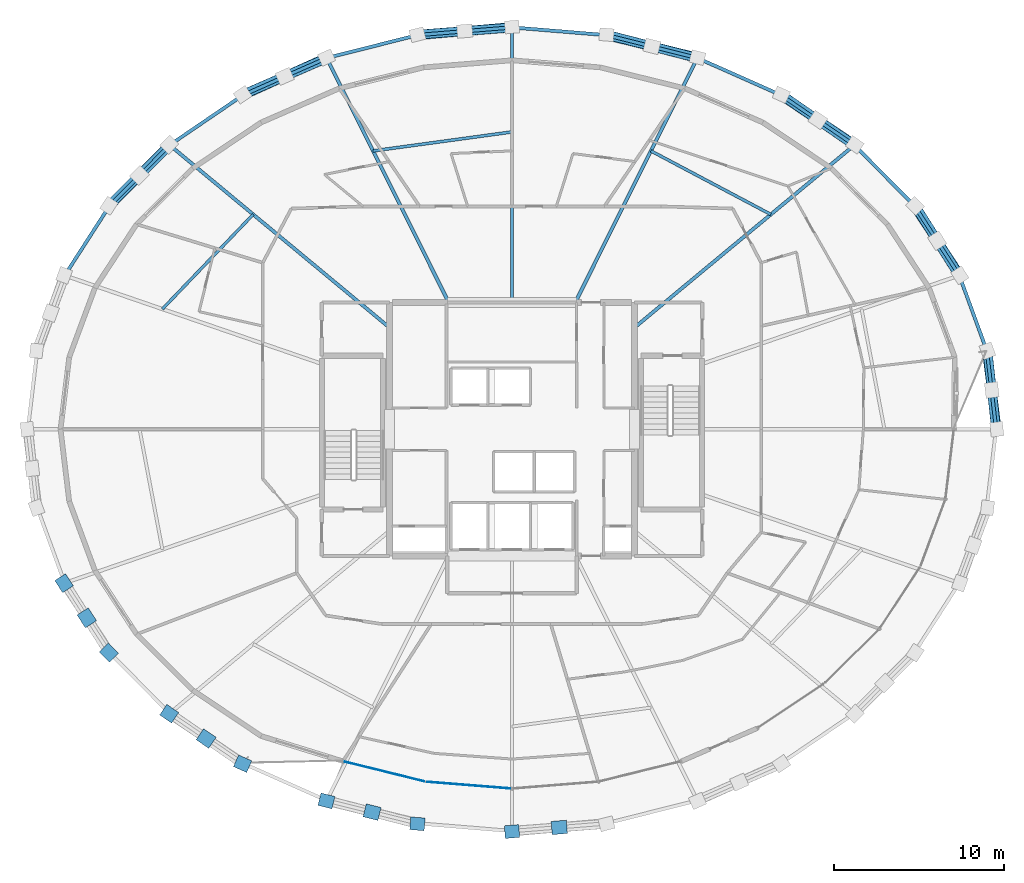
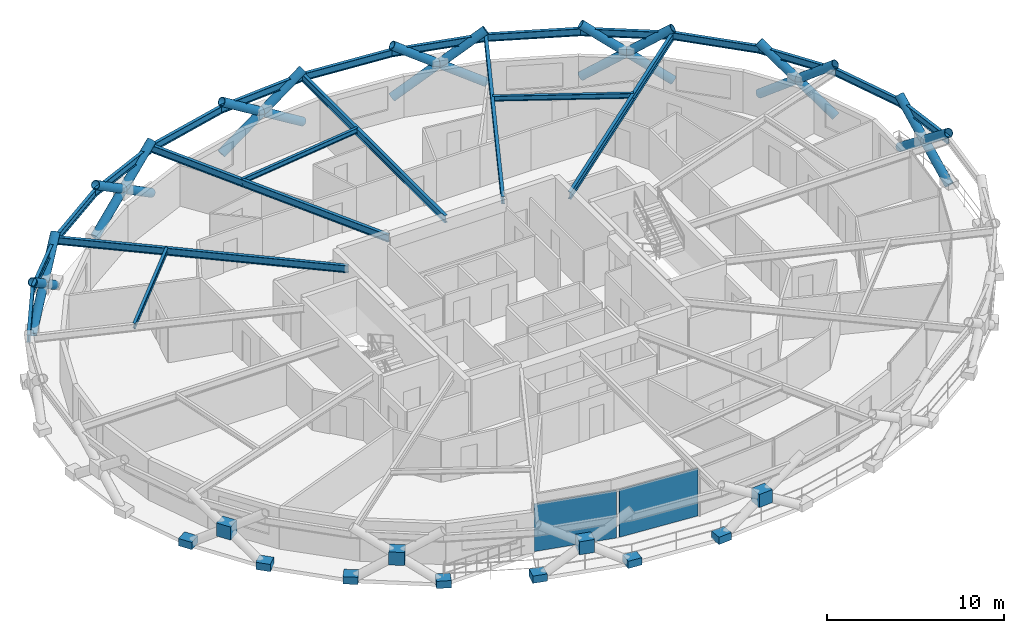
# One storey, part 12 of 21: 22 beams, 21 members, 13 plates, 1 element without a shape of its own.
"""IFC4 building model written with IfcOpenShell, lengths in metres."""

import ifcopenshell
import ifcopenshell.guid

model = None  # the IFC model being written
_history = None  # IfcOwnerHistory: only IFC2X3 demands one
_inside = {}  # id of a spatial element -> (the spatial element, [elements in it])
_under = {}  # id of a project, library or spatial element -> (it, [spatial elements below it])
_declared = {}  # id of a project -> (the project, [libraries it declares])
_typed = {}  # id of a type object -> (the type object, [elements of that type])
_made_of = {}  # id of a material, layer set ... -> (it, [elements and type objects made of it])


def new_model(schema):
    """Start an empty IFC model of exactly this schema.

    Asked for "IFC4X3", IfcOpenShell would pick the latest addendum, in which some entities
    have other attributes; the version numbers below select the first issue.
    IFC2X3 requires an IfcOwnerHistory on every rooted entity: one is made here for all.
    """
    global model, _history
    if schema == "IFC4X3":
        model = ifcopenshell.file(schema_version=(4, 3, 0, 0))
    else:
        model = ifcopenshell.file(schema=schema)
    _inside.clear()
    _under.clear()
    _declared.clear()
    _typed.clear()
    _made_of.clear()
    _history = None
    if model.schema == "IFC2X3":
        org = make("IfcOrganization", Name="unknown")
        user = make(
            "IfcPersonAndOrganization",
            ThePerson=make("IfcPerson", FamilyName="unknown"),
            TheOrganization=org,
        )
        app = make(
            "IfcApplication",
            ApplicationDeveloper=org,
            Version="unknown",
            ApplicationFullName="unknown",
            ApplicationIdentifier="unknown",
        )
        _history = make(
            "IfcOwnerHistory",
            OwningUser=user,
            OwningApplication=app,
            ChangeAction="ADDED",
            CreationDate=0,
        )
    return model


def make(cls, **values):
    """One entity of the class cls with the attributes given. An attribute that is None is left unset."""
    return model.create_entity(
        cls, **{name: value for name, value in values.items() if value is not None}
    )


def rooted(cls, **values):
    """An entity with a GlobalId (a new one), such as an element, a storey or a relation."""
    return make(cls, GlobalId=ifcopenshell.guid.new(), OwnerHistory=_history, **values)


def si_unit(unit_type, name, prefix=None):
    """IfcSIUnit, for example si_unit("LENGTHUNIT", "METRE", prefix="MILLI")."""
    return make("IfcSIUnit", UnitType=unit_type, Prefix=prefix, Name=name)


def assignment(units):
    """IfcUnitAssignment: the units of a project."""
    return None if units is None else make("IfcUnitAssignment", Units=units)


def point(xyz):
    """IfcCartesianPoint."""
    return None if xyz is None else make("IfcCartesianPoint", Coordinates=xyz)


def direction(xyz):
    """IfcDirection."""
    return None if xyz is None else make("IfcDirection", DirectionRatios=xyz)


def frame(location, z_axis=None, x_axis=None):
    """IfcAxis2Placement3D, a coordinate frame: its origin and axes. An axis left out is left unset."""
    return make(
        "IfcAxis2Placement3D",
        Location=point(location),
        Axis=direction(z_axis),
        RefDirection=direction(x_axis),
    )


def frame_2d(location, x_axis=None):
    """IfcAxis2Placement2D, a coordinate frame in the plane: its origin and x axis."""
    return make(
        "IfcAxis2Placement2D", Location=point(location), RefDirection=direction(x_axis)
    )


def origin():
    """The frame at (0, 0, 0) with its axes left unset."""
    return frame((0.0, 0.0, 0.0))


def origin_2d():
    """The frame at (0, 0) in the plane with its x axis left unset."""
    return frame_2d((0.0, 0.0))


def place(relative_to, where):
    """IfcLocalPlacement: puts the frame where relative to a parent placement (None: the world)."""
    return make(
        "IfcLocalPlacement", PlacementRelTo=relative_to, RelativePlacement=where
    )


def context(
    kind, dimensions, precision=None, world=None, true_north=None, identifier=None
):
    """IfcGeometricRepresentationContext, for example the 3D "Model" context."""
    return make(
        "IfcGeometricRepresentationContext",
        ContextIdentifier=identifier,
        ContextType=kind,
        CoordinateSpaceDimension=dimensions,
        Precision=precision,
        WorldCoordinateSystem=world,
        TrueNorth=true_north,
    )


def subcontext(parent, identifier, kind, view, scale=None):
    """IfcGeometricRepresentationSubContext, for example "Body" below "Model"."""
    return make(
        "IfcGeometricRepresentationSubContext",
        ContextIdentifier=identifier,
        ContextType=kind,
        ParentContext=parent,
        TargetScale=scale,
        TargetView=view,
    )


def project(units=None, contexts=None):
    """IfcProject with its units and contexts."""
    return rooted(
        "IfcProject",
        Name="project",
        RepresentationContexts=contexts,
        UnitsInContext=assignment(units),
    )


def spatial(cls, under=None, at=None, **own):
    """A site, building, storey or space (cls), placed at a placement, below another one or the project."""
    s = rooted(cls, ObjectPlacement=at, **own)
    if under is not None:
        _under.setdefault(under.id(), (under, []))[1].append(s)
    return s


def profile(cls, at=None, kind="AREA", **sizes):
    """A parametric profile (cls). Its sizes go by their IFC names, for example OverallWidth=200.0."""
    return make(cls, ProfileType=kind, Position=at, **sizes)


def rectangle(**sizes):
    """IfcRectangleProfileDef."""
    return profile("IfcRectangleProfileDef", **sizes)


def hollow_circle(**sizes):
    """IfcCircleHollowProfileDef."""
    return profile("IfcCircleHollowProfileDef", **sizes)


def i_section(**sizes):
    """IfcIShapeProfileDef."""
    return profile("IfcIShapeProfileDef", **sizes)


def extrude(swept, where, along, depth):
    """IfcExtrudedAreaSolid: the profile swept, set in the frame where, extruded along a direction by depth."""
    return make(
        "IfcExtrudedAreaSolid",
        SweptArea=swept,
        Position=where,
        ExtrudedDirection=direction(along),
        Depth=depth,
    )


def shape(context_of_items, identifier, shape_type, items):
    """IfcShapeRepresentation: the items that make up one representation, for example the "Body"."""
    return make(
        "IfcShapeRepresentation",
        ContextOfItems=context_of_items,
        RepresentationIdentifier=identifier,
        RepresentationType=shape_type,
        Items=items,
    )


def material(Name=None, Category=None):
    """IfcMaterial."""
    return make("IfcMaterial", Name=Name, Category=Category)


def layer(
    of_material, thickness, ventilated=None, Name=None, Category=None, Priority=None
):
    """IfcMaterialLayer: one layer of a wall or slab, of a material (None: an air gap)."""
    return make(
        "IfcMaterialLayer",
        Material=of_material,
        LayerThickness=thickness,
        IsVentilated=ventilated,
        Name=Name,
        Category=Category,
        Priority=Priority,
    )


def layer_set(layers, Name=None):
    """IfcMaterialLayerSet."""
    return make("IfcMaterialLayerSet", MaterialLayers=layers, LayerSetName=Name)


def material_profile(
    of_material, cross_section, Name=None, Category=None, Priority=None
):
    """IfcMaterialProfile: a cross section and its material."""
    return make(
        "IfcMaterialProfile",
        Name=Name,
        Material=of_material,
        Profile=cross_section,
        Priority=Priority,
        Category=Category,
    )


def profile_set(profiles, Name=None, composite=None):
    """IfcMaterialProfileSet."""
    return make(
        "IfcMaterialProfileSet",
        Name=Name,
        MaterialProfiles=profiles,
        CompositeProfile=composite,
    )


def made_of(thing, what):
    """Note that an element or type object is made of a material, layer set ...; save() writes the relation."""
    if what is not None:
        _made_of.setdefault(what.id(), (what, []))[1].append(thing)
    return thing


def type_object(cls, material=None, **own):
    """A type object (cls), such as IfcWallType, which elements share."""
    return made_of(rooted(cls, **own), material)


def element(
    cls,
    number,
    at=None,
    inside=None,
    cuts=None,
    type_object=None,
    material=None,
    context=None,
    identifier="Body",
    shape_type=None,
    held_by="IfcProductDefinitionShape",
    body=None,
    shapes=None,
    **own,
):
    """One element of the class cls, such as IfcWall. Its Tag is "e" and its number.

    at: its placement. inside: the storey or other place that contains it. cuts: it is an
    opening in that element (IfcRelVoidsElement). A single representation is given by context,
    identifier, shape_type and body (its items); several are given by shapes. held_by: the class
    of the entity that holds the representations. save() writes the other relations.
    """
    e = rooted(cls, Tag="e%d" % number, ObjectPlacement=at, **own)
    if body is not None:
        shapes = [shape(context, identifier, shape_type, body)]
    if shapes is not None:
        e.Representation = make(held_by, Representations=shapes)
    if inside is not None:
        _inside.setdefault(inside.id(), (inside, []))[1].append(e)
    if cuts is not None:
        rooted(
            "IfcRelVoidsElement", RelatingBuildingElement=cuts, RelatedOpeningElement=e
        )
    if type_object is not None:
        _typed.setdefault(type_object.id(), (type_object, []))[1].append(e)
    return made_of(e, material)


def aggregate(whole, parts):
    """IfcRelAggregates: a whole, such as a stair, and the parts it consists of."""
    return rooted("IfcRelAggregates", RelatingObject=whole, RelatedObjects=parts)


def save(model, path):
    """Write the relations noted so far, then the file.

    IfcRelAggregates (storeys below a building ...), IfcRelContainedInSpatialStructure (elements
    in a storey), IfcRelDefinesByType, IfcRelAssociatesMaterial and IfcRelDeclares: one each for
    every whole, place, type object, material and project.
    """
    for whole, parts in _under.values():
        aggregate(whole, parts)
    for where, things in _inside.values():
        rooted(
            "IfcRelContainedInSpatialStructure",
            RelatedElements=things,
            RelatingStructure=where,
        )
    for kind, things in _typed.values():
        rooted("IfcRelDefinesByType", RelatedObjects=things, RelatingType=kind)
    for what, things in _made_of.values():
        rooted("IfcRelAssociatesMaterial", RelatedObjects=things, RelatingMaterial=what)
    for by, libraries in _declared.values():
        rooted("IfcRelDeclares", RelatingContext=by, RelatedDefinitions=libraries)
    model.write(path)


model = new_model("IFC4")

# Units and contexts
model_context = context("Model", 3, precision=1e-05, world=origin(), true_north=direction((0.0, 1.0)))
body_context = subcontext(model_context, "Body", "Model", "MODEL_VIEW")
ifc_project = project(units=[si_unit("LENGTHUNIT", "METRE"), si_unit("AREAUNIT", "SQUARE_METRE"), si_unit("VOLUMEUNIT", "CUBIC_METRE"), si_unit("PLANEANGLEUNIT", "RADIAN"), si_unit("MASSUNIT", "GRAM", prefix="KILO")], contexts=[model_context])

# Site, building, storey
site_placement = place(None, origin())
site = spatial("IfcSite", under=ifc_project, at=site_placement, CompositionType="ELEMENT")
building_placement = place(site_placement, origin())
building = spatial("IfcBuilding", under=site, at=building_placement, Name="Veldorina Hangang Commons", CompositionType="ELEMENT")
storey_placement = place(building_placement, frame((0.0, 0.0, 135.199951171875)))
storey = spatial("IfcBuildingStorey", under=building, at=storey_placement, Name="L34", CompositionType="ELEMENT", Elevation=135.199951171875)

# Beams
ifc_material_1 = material(Name="Steel SM420-TMC", Category="steel")
ifc_material_profile_1 = material_profile(ifc_material_1, i_section(OverallWidth=0.199951171875, OverallDepth=0.5, WebThickness=0.010009765625, FlangeThickness=0.01611328125, FilletRadius=0.01611328125, at=origin_2d()), Name="H-500x200x10x16")
ifc_profile_set_1 = profile_set([ifc_material_profile_1], Name="Steel SM420-TMC")
beam_type_1 = type_object("IfcBeamType", Name="BM-FG500", PredefinedType="BEAM", material=ifc_profile_set_1)
beam_1_placement = place(storey_placement, frame((39.199951171875, 29.975830078125, 3.10009765625), z_axis=(0.769484803772, 0.638665120986, 0.0), x_axis=(-0.638665120986, 0.769484803772, 0.0)))
element("IfcBeam", 1, at=beam_1_placement, inside=storey, type_object=beam_type_1, Name="L34 radial floor girder 03", PredefinedType="BEAM", context=body_context, shape_type="SweptSolid", body=[
    extrude(i_section(OverallWidth=0.199951171875, OverallDepth=0.5, WebThickness=0.010009765625, FlangeThickness=0.01611328125, FilletRadius=0.01611328125, at=origin_2d()), origin(), (0.0, 0.0, 1.0), 16.7998046875),
])
beam_2_placement = place(storey_placement, frame((35.718017578125, 31.449951171875, 3.10009765625), z_axis=(0.44653882816, 0.894764256631, 0.0), x_axis=(-0.894764256631, 0.44653882816, 0.0)))
element("IfcBeam", 2, at=beam_2_placement, inside=storey, type_object=beam_type_1, Name="L34 radial floor girder 04", PredefinedType="BEAM", context=body_context, shape_type="SweptSolid", body=[
    extrude(i_section(OverallWidth=0.199951171875, OverallDepth=0.5, WebThickness=0.010009765625, FlangeThickness=0.01611328125, FilletRadius=0.01611328125, at=origin_2d()), origin(), (0.0, 0.0, 1.0), 16.067626953125),
])
beam_3_placement = place(storey_placement, frame((32.0, 31.449951171875, 3.10009765625), z_axis=(0.0, 1.0, 0.0), x_axis=(-1.0, 0.0, 0.0)))
element("IfcBeam", 3, at=beam_3_placement, inside=storey, type_object=beam_type_1, Name="L34 radial floor girder 05", PredefinedType="BEAM", context=body_context, shape_type="SweptSolid", body=[
    extrude(i_section(OverallWidth=0.199951171875, OverallDepth=0.5, WebThickness=0.010009765625, FlangeThickness=0.01611328125, FilletRadius=0.01611328125, at=origin_2d()), origin(), (0.0, 0.0, 1.0), 16.175048828125),
])
beam_4_placement = place(storey_placement, frame((28.281982421875, 31.449951171875, 3.10009765625), z_axis=(-0.44653882816, 0.894764256631, 0.0), x_axis=(-0.894764256631, -0.44653882816, 0.0)))
element("IfcBeam", 4, at=beam_4_placement, inside=storey, type_object=beam_type_1, Name="L34 radial floor girder 06", PredefinedType="BEAM", context=body_context, shape_type="SweptSolid", body=[
    extrude(i_section(OverallWidth=0.199951171875, OverallDepth=0.5, WebThickness=0.010009765625, FlangeThickness=0.01611328125, FilletRadius=0.01611328125, at=origin_2d()), origin(), (0.0, 0.0, 1.0), 16.067626953125),
])
beam_5_placement = place(storey_placement, frame((24.800048828125, 29.975830078125, 3.10009765625), z_axis=(-0.769484803772, 0.638665120986, 0.0), x_axis=(-0.638665120986, -0.769484803772, 0.0)))
element("IfcBeam", 5, at=beam_5_placement, inside=storey, type_object=beam_type_1, Name="L34 radial floor girder 07", PredefinedType="BEAM", context=body_context, shape_type="SweptSolid", body=[
    extrude(i_section(OverallWidth=0.199951171875, OverallDepth=0.5, WebThickness=0.010009765625, FlangeThickness=0.01611328125, FilletRadius=0.01611328125, at=origin_2d()), origin(), (0.0, 0.0, 1.0), 16.7998046875),
])
ifc_material_2 = material(Name="Steel SM355-TMC", Category="steel")
ifc_material_profile_2 = material_profile(ifc_material_2, i_section(OverallWidth=0.175048828125, OverallDepth=0.35009765625, WebThickness=0.007080078125, FlangeThickness=0.010986328125, FilletRadius=0.012939453125, at=origin_2d()), Name="H-350x175x7x11")
ifc_profile_set_2 = profile_set([ifc_material_profile_2], Name="Steel SM355-TMC")
beam_type_2 = type_object("IfcBeamType", Name="BM-JST350", PredefinedType="JOIST", material=ifc_profile_set_2)
beam_6_placement = place(storey_placement, frame((47.21484375, 36.628173828125, 3.175048828125), z_axis=(-0.883586829728, 0.468267353476, 0.0), x_axis=(-0.468267353476, -0.883586829728, 0.0)))
element("IfcBeam", 6, at=beam_6_placement, inside=storey, type_object=beam_type_2, Name="L34 secondary floor joist 03", PredefinedType="JOIST", context=body_context, shape_type="SweptSolid", body=[
    extrude(i_section(OverallWidth=0.175048828125, OverallDepth=0.35009765625, WebThickness=0.007080078125, FlangeThickness=0.010986328125, FilletRadius=0.012939453125, at=origin_2d()), origin(), (0.0, 0.0, 1.0), 7.97705078125),
])
beam_7_placement = place(storey_placement, frame((32.0, 41.478515625, 3.175048828125), z_axis=(-0.990807803881, -0.135277107334, 0.0), x_axis=(0.135277107334, -0.990807803881, 0.0)))
element("IfcBeam", 7, at=beam_7_placement, inside=storey, type_object=beam_type_2, Name="L34 secondary floor joist 05", PredefinedType="JOIST", context=body_context, shape_type="SweptSolid", body=[
    extrude(i_section(OverallWidth=0.175048828125, OverallDepth=0.35009765625, WebThickness=0.007080078125, FlangeThickness=0.010986328125, FilletRadius=0.012939453125, at=origin_2d()), origin(), (0.0, 0.0, 1.0), 8.2421875),
])
beam_8_placement = place(storey_placement, frame((16.78515625, 36.628173828125, 3.175048828125), z_axis=(-0.69240524806, -0.721508816619, 0.0), x_axis=(0.721508816619, -0.69240524806, 0.0)))
element("IfcBeam", 8, at=beam_8_placement, inside=storey, type_object=beam_type_2, Name="L34 secondary floor joist 07", PredefinedType="JOIST", context=body_context, shape_type="SweptSolid", body=[
    extrude(i_section(OverallWidth=0.175048828125, OverallDepth=0.35009765625, WebThickness=0.007080078125, FlangeThickness=0.010986328125, FilletRadius=0.012939453125, at=origin_2d()), origin(), (0.0, 0.0, 1.0), 7.709228515625),
])
ifc_material_profile_3 = material_profile(ifc_material_1, i_section(OverallWidth=0.199951171875, OverallDepth=0.5, WebThickness=0.010009765625, FlangeThickness=0.01611328125, FilletRadius=0.01611328125, at=origin_2d()), Name="H-500x200x10x16")
ifc_profile_set_3 = profile_set([ifc_material_profile_3], Name="Steel SM420-TMC")
beam_type_3 = type_object("IfcBeamType", Name="BM-RB500", PredefinedType="BEAM", material=ifc_profile_set_3)
beam_9_placement = place(storey_placement, frame((60.46435546875, 24.0, 3.10009765625), z_axis=(-0.117830048603, 0.993033775682, 0.0), x_axis=(-0.993033775682, -0.117830048603, 0.0)))
element("IfcBeam", 9, at=beam_9_placement, inside=storey, type_object=beam_type_3, Name="L34 perimeter hoop ring beam 00", PredefinedType="BEAM", context=body_context, shape_type="SweptSolid", body=[
    extrude(i_section(OverallWidth=0.199951171875, OverallDepth=0.5, WebThickness=0.010009765625, FlangeThickness=0.01611328125, FilletRadius=0.01611328125, at=origin_2d()), origin(), (0.0, 0.0, 1.0), 4.64111328125),
])
beam_10_placement = place(storey_placement, frame((59.91748046875, 28.60888671875, 3.10009765625), z_axis=(-0.343275460832, 0.939234772562, 0.0), x_axis=(-0.939234772562, -0.343275460832, 0.0)))
element("IfcBeam", 10, at=beam_10_placement, inside=storey, type_object=beam_type_3, Name="L34 perimeter hoop ring beam 01", PredefinedType="BEAM", context=body_context, shape_type="SweptSolid", body=[
    extrude(i_section(OverallWidth=0.199951171875, OverallDepth=0.5, WebThickness=0.010009765625, FlangeThickness=0.01611328125, FilletRadius=0.01611328125, at=origin_2d()), origin(), (0.0, 0.0, 1.0), 4.718994140625),
])
beam_11_placement = place(storey_placement, frame((58.297607421875, 33.041015625, 3.10009765625), z_axis=(-0.541455905961, 0.840729148953, 0.0), x_axis=(-0.840729148953, -0.541455905961, 0.0)))
element("IfcBeam", 11, at=beam_11_placement, inside=storey, type_object=beam_type_3, Name="L34 perimeter hoop ring beam 02", PredefinedType="BEAM", context=body_context, shape_type="SweptSolid", body=[
    extrude(i_section(OverallWidth=0.199951171875, OverallDepth=0.5, WebThickness=0.010009765625, FlangeThickness=0.01611328125, FilletRadius=0.01611328125, at=origin_2d()), origin(), (0.0, 0.0, 1.0), 4.85791015625),
])
beam_12_placement = place(storey_placement, frame((55.667236328125, 37.125244140625, 3.10009765625), z_axis=(-0.703119340183, 0.711071862375, 0.0), x_axis=(-0.711071862375, -0.703119340183, 0.0)))
element("IfcBeam", 12, at=beam_12_placement, inside=storey, type_object=beam_type_3, Name="L34 perimeter hoop ring beam 03", PredefinedType="BEAM", context=body_context, shape_type="SweptSolid", body=[
    extrude(i_section(OverallWidth=0.199951171875, OverallDepth=0.5, WebThickness=0.010009765625, FlangeThickness=0.01611328125, FilletRadius=0.01611328125, at=origin_2d()), origin(), (0.0, 0.0, 1.0), 5.03466796875),
])
beam_13_placement = place(storey_placement, frame((52.127197265625, 40.705322265625, 3.10009765625), z_axis=(-0.826459852108, 0.562995659711, 0.0), x_axis=(-0.562995659711, -0.826459852108, 0.0)))
element("IfcBeam", 13, at=beam_13_placement, inside=storey, type_object=beam_type_3, Name="L34 perimeter hoop ring beam 04", PredefinedType="BEAM", context=body_context, shape_type="SweptSolid", body=[
    extrude(i_section(OverallWidth=0.199951171875, OverallDepth=0.5, WebThickness=0.010009765625, FlangeThickness=0.01611328125, FilletRadius=0.01611328125, at=origin_2d()), origin(), (0.0, 0.0, 1.0), 5.218994140625),
])
beam_14_placement = place(storey_placement, frame((47.81396484375, 43.6435546875, 3.10009765625), z_axis=(-0.914091837503, 0.405507228802, 0.0), x_axis=(-0.405507228802, -0.914091837503, 0.0)))
element("IfcBeam", 14, at=beam_14_placement, inside=storey, type_object=beam_type_3, Name="L34 perimeter hoop ring beam 05", PredefinedType="BEAM", context=body_context, shape_type="SweptSolid", body=[
    extrude(i_section(OverallWidth=0.199951171875, OverallDepth=0.5, WebThickness=0.010009765625, FlangeThickness=0.01611328125, FilletRadius=0.01611328125, at=origin_2d()), origin(), (0.0, 0.0, 1.0), 5.383544921875),
])
beam_15_placement = place(storey_placement, frame((42.892822265625, 45.82666015625, 3.10009765625), z_axis=(-0.969744776856, 0.244121010487, 0.0), x_axis=(-0.244121010487, -0.969744776856, 0.0)))
element("IfcBeam", 15, at=beam_15_placement, inside=storey, type_object=beam_type_3, Name="L34 perimeter hoop ring beam 06", PredefinedType="BEAM", context=body_context, shape_type="SweptSolid", body=[
    extrude(i_section(OverallWidth=0.199951171875, OverallDepth=0.5, WebThickness=0.010009765625, FlangeThickness=0.01611328125, FilletRadius=0.01611328125, at=origin_2d()), origin(), (0.0, 0.0, 1.0), 5.50634765625),
])
for number, where, z_axis, x_axis, name in (
    (16, (37.552978515625, 47.1708984375, 3.10009765625), (-0.996673002693, 0.081504145307, 0.0), (-0.081504145307, -0.996673002693, 0.0), "L34 perimeter hoop ring beam 07"),
    (17, (32.0, 47.625, 3.10009765625), (-0.996673002693, -0.081504145307, 0.0), (0.081504145307, -0.996673002693, 0.0), "L34 perimeter hoop ring beam 08"),
):
    element("IfcBeam", number, at=place(storey_placement, frame(where, z_axis=z_axis, x_axis=x_axis)), inside=storey, type_object=beam_type_3, Name=name, PredefinedType="BEAM", context=body_context, shape_type="SweptSolid", body=[
        extrude(i_section(OverallWidth=0.199951171875, OverallDepth=0.5, WebThickness=0.010009765625, FlangeThickness=0.01611328125, FilletRadius=0.01611328125, at=origin_2d()), origin(), (0.0, 0.0, 1.0), 5.571533203125),
    ])
beam_16_placement = place(storey_placement, frame((26.447021484375, 47.1708984375, 3.10009765625), z_axis=(-0.969744776856, -0.244121010487, 0.0), x_axis=(0.244121010487, -0.969744776856, 0.0)))
element("IfcBeam", 18, at=beam_16_placement, inside=storey, type_object=beam_type_3, Name="L34 perimeter hoop ring beam 09", PredefinedType="BEAM", context=body_context, shape_type="SweptSolid", body=[
    extrude(i_section(OverallWidth=0.199951171875, OverallDepth=0.5, WebThickness=0.010009765625, FlangeThickness=0.01611328125, FilletRadius=0.01611328125, at=origin_2d()), origin(), (0.0, 0.0, 1.0), 5.50634765625),
])
beam_17_placement = place(storey_placement, frame((21.107177734375, 45.82666015625, 3.10009765625), z_axis=(-0.914091837503, -0.405507228802, 0.0), x_axis=(0.405507228802, -0.914091837503, 0.0)))
element("IfcBeam", 19, at=beam_17_placement, inside=storey, type_object=beam_type_3, Name="L34 perimeter hoop ring beam 10", PredefinedType="BEAM", context=body_context, shape_type="SweptSolid", body=[
    extrude(i_section(OverallWidth=0.199951171875, OverallDepth=0.5, WebThickness=0.010009765625, FlangeThickness=0.01611328125, FilletRadius=0.01611328125, at=origin_2d()), origin(), (0.0, 0.0, 1.0), 5.383544921875),
])
beam_18_placement = place(storey_placement, frame((16.18603515625, 43.6435546875, 3.10009765625), z_axis=(-0.826459852108, -0.562995659711, 0.0), x_axis=(0.562995659711, -0.826459852108, 0.0)))
element("IfcBeam", 20, at=beam_18_placement, inside=storey, type_object=beam_type_3, Name="L34 perimeter hoop ring beam 11", PredefinedType="BEAM", context=body_context, shape_type="SweptSolid", body=[
    extrude(i_section(OverallWidth=0.199951171875, OverallDepth=0.5, WebThickness=0.010009765625, FlangeThickness=0.01611328125, FilletRadius=0.01611328125, at=origin_2d()), origin(), (0.0, 0.0, 1.0), 5.218994140625),
])
beam_19_placement = place(storey_placement, frame((11.872802734375, 40.705322265625, 3.10009765625), z_axis=(-0.703119340183, -0.711071862375, 0.0), x_axis=(0.711071862375, -0.703119340183, 0.0)))
element("IfcBeam", 21, at=beam_19_placement, inside=storey, type_object=beam_type_3, Name="L34 perimeter hoop ring beam 12", PredefinedType="BEAM", context=body_context, shape_type="SweptSolid", body=[
    extrude(i_section(OverallWidth=0.199951171875, OverallDepth=0.5, WebThickness=0.010009765625, FlangeThickness=0.01611328125, FilletRadius=0.01611328125, at=origin_2d()), origin(), (0.0, 0.0, 1.0), 5.03466796875),
])
beam_20_placement = place(storey_placement, frame((8.332763671875, 37.125244140625, 3.10009765625), z_axis=(-0.541455905961, -0.840729148953, 0.0), x_axis=(0.840729148953, -0.541455905961, 0.0)))
element("IfcBeam", 22, at=beam_20_placement, inside=storey, type_object=beam_type_3, Name="L34 perimeter hoop ring beam 13", PredefinedType="BEAM", context=body_context, shape_type="SweptSolid", body=[
    extrude(i_section(OverallWidth=0.199951171875, OverallDepth=0.5, WebThickness=0.010009765625, FlangeThickness=0.01611328125, FilletRadius=0.01611328125, at=origin_2d()), origin(), (0.0, 0.0, 1.0), 4.85791015625),
])

# Members
ifc_material_profile_4 = material_profile(ifc_material_1, hollow_circle(Radius=0.27490234375, WallThickness=0.028076171875, at=origin_2d()), Name="CHS-550x28")
ifc_profile_set_4 = profile_set([ifc_material_profile_4], Name="Steel SM420-TMC")
member_type = type_object("IfcMemberType", Name="DG-CHS550", PredefinedType="BRACE", material=ifc_profile_set_4)
member_1_placement = place(storey_placement, frame((60.501220703125, 24.0, 0.0), z_axis=(-0.100317001001, 0.784051094778, 0.612536023502), x_axis=(-0.991913925165, -0.12691243069, 0.0)))
element("IfcMember", 23, at=member_1_placement, inside=storey, type_object=member_type, Name="L34 continuous perimeter diagrid brace 00", PredefinedType="BRACE", context=body_context, shape_type="SweptSolid", body=[
    extrude(hollow_circle(Radius=0.27490234375, WallThickness=0.028076171875, at=origin_2d()), origin(), (0.0, 0.0, 1.0), 5.87744140625),
])
member_2_placement = place(storey_placement, frame((59.95361328125, 28.614013671875, 0.0), z_axis=(0.085980795811, -0.785457414876, 0.612914310624), x_axis=(0.994061922388, 0.108815874106, 0.0)))
element("IfcMember", 24, at=member_2_placement, inside=storey, type_object=member_type, Name="L34 split perimeter diagrid lower brace 01", PredefinedType="BRACE", context=body_context, shape_type="SweptSolid", body=[
    extrude(hollow_circle(Radius=0.27490234375, WallThickness=0.028076171875, at=origin_2d()), origin(), (0.0, 0.0, 1.0), 2.93896484375),
])
member_3_placement = place(storey_placement, frame((60.206298828125, 26.3056640625, 1.80126953125), z_axis=(0.085838731755, -0.785524208038, 0.61284861974), x_axis=(0.994082352715, 0.108629075392, 0.0)))
element("IfcMember", 25, at=member_3_placement, inside=storey, type_object=member_type, Name="L34 split perimeter diagrid upper brace 01", PredefinedType="BRACE", context=body_context, shape_type="SweptSolid", body=[
    extrude(hollow_circle(Radius=0.27490234375, WallThickness=0.028076171875, at=origin_2d()), origin(), (0.0, 0.0, 1.0), 2.935302734375),
])
member_4_placement = place(storey_placement, frame((58.331787109375, 33.05078125, 0.0), z_axis=(-0.440855337186, 0.672470692662, 0.594499570383), x_axis=(-0.836306551947, -0.548262119037, 0.0)))
element("IfcMember", 26, at=member_4_placement, inside=storey, type_object=member_type, Name="L34 continuous perimeter diagrid brace 02", PredefinedType="BRACE", context=body_context, shape_type="SweptSolid", body=[
    extrude(hollow_circle(Radius=0.27490234375, WallThickness=0.028076171875, at=origin_2d()), origin(), (0.0, 0.0, 1.0), 6.0556640625),
])
member_5_placement = place(storey_placement, frame((55.697998046875, 37.1396484375, 0.0), z_axis=(0.429434598893, -0.678598739872, 0.595894013661), x_axis=(0.84501298764, 0.534745781395, 0.0)))
element("IfcMember", 27, at=member_5_placement, inside=storey, type_object=member_type, Name="L34 split perimeter diagrid lower brace 03", PredefinedType="BRACE", context=body_context, shape_type="SweptSolid", body=[
    extrude(hollow_circle(Radius=0.27490234375, WallThickness=0.028076171875, at=origin_2d()), origin(), (0.0, 0.0, 1.0), 3.022705078125),
])
member_6_placement = place(storey_placement, frame((56.99609375, 35.08837890625, 1.80126953125), z_axis=(0.429260022645, -0.678745171451, 0.595853023144), x_axis=(0.845163320068, 0.534508149996, 0.0)))
element("IfcMember", 28, at=member_6_placement, inside=storey, type_object=member_type, Name="L34 split perimeter diagrid upper brace 03", PredefinedType="BRACE", context=body_context, shape_type="SweptSolid", body=[
    extrude(hollow_circle(Radius=0.27490234375, WallThickness=0.028076171875, at=origin_2d()), origin(), (0.0, 0.0, 1.0), 3.018798828125),
])
member_7_placement = place(storey_placement, frame((52.153564453125, 40.7236328125, 0.0), z_axis=(-0.683900972288, 0.459227450334, 0.566912346808), x_axis=(-0.557464976513, -0.830200457697, 0.0)))
element("IfcMember", 29, at=member_7_placement, inside=storey, type_object=member_type, Name="L34 continuous perimeter diagrid brace 04", PredefinedType="BRACE", context=body_context, shape_type="SweptSolid", body=[
    extrude(hollow_circle(Radius=0.27490234375, WallThickness=0.028076171875, at=origin_2d()), origin(), (0.0, 0.0, 1.0), 6.350341796875),
])
member_8_placement = place(storey_placement, frame((47.83447265625, 43.6650390625, 0.0), z_axis=(0.677043752005, -0.467614632357, 0.568285415505), x_axis=(0.568299377459, 0.822821862604, 0.0)))
element("IfcMember", 30, at=member_8_placement, inside=storey, type_object=member_type, Name="L34 split perimeter diagrid lower brace 05", PredefinedType="BRACE", context=body_context, shape_type="SweptSolid", body=[
    extrude(hollow_circle(Radius=0.27490234375, WallThickness=0.028076171875, at=origin_2d()), origin(), (0.0, 0.0, 1.0), 3.169677734375),
])
member_9_placement = place(storey_placement, frame((49.98046875, 42.182861328125, 1.80126953125), z_axis=(0.676926586513, -0.467739610371, 0.568322138722), x_axis=(0.568468788367, 0.822704829603, 0.0)))
element("IfcMember", 31, at=member_9_placement, inside=storey, type_object=member_type, Name="L34 split perimeter diagrid upper brace 05", PredefinedType="BRACE", context=body_context, shape_type="SweptSolid", body=[
    extrude(hollow_circle(Radius=0.27490234375, WallThickness=0.028076171875, at=origin_2d()), origin(), (0.0, 0.0, 1.0), 3.1650390625),
])
member_10_placement = place(storey_placement, frame((42.906982421875, 45.8505859375, 0.0), z_axis=(-0.813141192022, 0.199893193552, 0.546666363525), x_axis=(-0.238721048932, -0.971088183842, 0.0)))
element("IfcMember", 32, at=member_10_placement, inside=storey, type_object=member_type, Name="L34 continuous perimeter diagrid brace 06", PredefinedType="BRACE", context=body_context, shape_type="SweptSolid", body=[
    extrude(hollow_circle(Radius=0.27490234375, WallThickness=0.028076171875, at=origin_2d()), origin(), (0.0, 0.0, 1.0), 6.58544921875),
])
member_11_placement = place(storey_placement, frame((37.560302734375, 47.196533203125, 0.0), z_axis=(0.810391906763, -0.208829477988, 0.547407715123), x_axis=(0.249537517776, 0.968365131148, 0.0)))
element("IfcMember", 33, at=member_11_placement, inside=storey, type_object=member_type, Name="L34 split perimeter diagrid lower brace 07", PredefinedType="BRACE", context=body_context, shape_type="SweptSolid", body=[
    extrude(hollow_circle(Radius=0.27490234375, WallThickness=0.028076171875, at=origin_2d()), origin(), (0.0, 0.0, 1.0), 3.291015625),
])
member_12_placement = place(storey_placement, frame((40.227294921875, 46.50927734375, 1.801513671875), z_axis=(0.810417075438, -0.208919400085, 0.547336138133), x_axis=(0.249631004118, 0.968341035887, 0.0)))
element("IfcMember", 34, at=member_12_placement, inside=storey, type_object=member_type, Name="L34 split perimeter diagrid upper brace 07", PredefinedType="BRACE", context=body_context, shape_type="SweptSolid", body=[
    extrude(hollow_circle(Radius=0.27490234375, WallThickness=0.028076171875, at=origin_2d()), origin(), (0.0, 0.0, 1.0), 3.2861328125),
])
member_13_placement = place(storey_placement, frame((32.0, 47.65087890625, 0.0), z_axis=(-0.836809663389, -0.072932445927, 0.542614453908), x_axis=(0.086826213621, -0.996223473237, 0.0)))
element("IfcMember", 35, at=member_13_placement, inside=storey, type_object=member_type, Name="L34 continuous perimeter diagrid brace 08", PredefinedType="BRACE", context=body_context, shape_type="SweptSolid", body=[
    extrude(hollow_circle(Radius=0.27490234375, WallThickness=0.028076171875, at=origin_2d()), origin(), (0.0, 0.0, 1.0), 6.634765625),
])
member_14_placement = place(storey_placement, frame((26.439697265625, 47.196533203125, 0.0), z_axis=(0.837683927982, 0.063877442385, 0.542406958984), x_axis=(-0.076034085237, 0.997105219063, 0.0)))
element("IfcMember", 36, at=member_14_placement, inside=storey, type_object=member_type, Name="L34 split perimeter diagrid lower brace 09", PredefinedType="BRACE", context=body_context, shape_type="SweptSolid", body=[
    extrude(hollow_circle(Radius=0.27490234375, WallThickness=0.028076171875, at=origin_2d()), origin(), (0.0, 0.0, 1.0), 3.3212890625),
])
member_15_placement = place(storey_placement, frame((29.221923828125, 47.40869140625, 1.801513671875), z_axis=(0.837712010401, 0.063975018634, 0.542352085476), x_axis=(-0.076147020483, 0.997096600772, 0.0)))
element("IfcMember", 37, at=member_15_placement, inside=storey, type_object=member_type, Name="L34 split perimeter diagrid upper brace 09", PredefinedType="BRACE", context=body_context, shape_type="SweptSolid", body=[
    extrude(hollow_circle(Radius=0.27490234375, WallThickness=0.028076171875, at=origin_2d()), origin(), (0.0, 0.0, 1.0), 3.316162109375),
])
member_16_placement = place(storey_placement, frame((21.093017578125, 45.8505859375, 0.0), z_axis=(-0.757603772447, -0.341553505577, 0.55621733774), x_axis=(0.410996815443, -0.911636779477, 0.0)))
element("IfcMember", 38, at=member_16_placement, inside=storey, type_object=member_type, Name="L34 continuous perimeter diagrid brace 10", PredefinedType="BRACE", context=body_context, shape_type="SweptSolid", body=[
    extrude(hollow_circle(Radius=0.27490234375, WallThickness=0.028076171875, at=origin_2d()), origin(), (0.0, 0.0, 1.0), 6.472412109375),
])
member_17_placement = place(storey_placement, frame((16.16552734375, 43.6650390625, 0.0), z_axis=(0.762380214081, 0.332624388281, 0.555101274992), x_axis=(-0.399893338442, 0.916561682523, 0.0)))
element("IfcMember", 39, at=member_17_placement, inside=storey, type_object=member_type, Name="L34 split perimeter diagrid lower brace 11", PredefinedType="BRACE", context=body_context, shape_type="SweptSolid", body=[
    extrude(hollow_circle(Radius=0.27490234375, WallThickness=0.028076171875, at=origin_2d()), origin(), (0.0, 0.0, 1.0), 3.244873046875),
])
member_18_placement = place(storey_placement, frame((18.639404296875, 44.744384765625, 1.80126953125), z_axis=(0.762302200067, 0.332782053538, 0.555113916791), x_axis=(-0.400086947544, 0.916477187062, 0.0)))
element("IfcMember", 40, at=member_18_placement, inside=storey, type_object=member_type, Name="L34 split perimeter diagrid upper brace 11", PredefinedType="BRACE", context=body_context, shape_type="SweptSolid", body=[
    extrude(hollow_circle(Radius=0.27490234375, WallThickness=0.028076171875, at=origin_2d()), origin(), (0.0, 0.0, 1.0), 3.240478515625),
])
member_19_placement = place(storey_placement, frame((11.846435546875, 40.7236328125, 0.0), z_axis=(-0.567410770104, -0.582295876243, 0.582216910163), x_axis=(0.716201580119, -0.697893470836, 0.0)))
element("IfcMember", 41, at=member_19_placement, inside=storey, type_object=member_type, Name="L34 continuous perimeter diagrid brace 12", PredefinedType="BRACE", context=body_context, shape_type="SweptSolid", body=[
    extrude(hollow_circle(Radius=0.27490234375, WallThickness=0.028076171875, at=origin_2d()), origin(), (0.0, 0.0, 1.0), 6.183349609375),
])
member_20_placement = place(storey_placement, frame((8.302001953125, 37.1396484375, 0.0), z_axis=(0.576688886735, 0.574642495162, 0.580702962513), x_axis=(-0.705848845317, 0.708362483172, 0.0)))
element("IfcMember", 42, at=member_20_placement, inside=storey, type_object=member_type, Name="L34 split perimeter diagrid lower brace 13", PredefinedType="BRACE", context=body_context, shape_type="SweptSolid", body=[
    extrude(hollow_circle(Radius=0.27490234375, WallThickness=0.028076171875, at=origin_2d()), origin(), (0.0, 0.0, 1.0), 3.101806640625),
])
member_21_placement = place(storey_placement, frame((10.0908203125, 38.922119140625, 1.80126953125), z_axis=(0.576609251113, 0.574717695341, 0.580707621952), x_axis=(-0.705944097685, 0.708267556043, 0.0)))
element("IfcMember", 43, at=member_21_placement, inside=storey, type_object=member_type, Name="L34 split perimeter diagrid upper brace 13", PredefinedType="BRACE", context=body_context, shape_type="SweptSolid", body=[
    extrude(hollow_circle(Radius=0.27490234375, WallThickness=0.028076171875, at=origin_2d()), origin(), (0.0, 0.0, 1.0), 3.09765625),
])

# Curtain wall, plates
ifc_material_3 = material(Name="Glass Low-E Triple IGU", Category="glass")
ifc_layer_1 = layer(ifc_material_3, 0.179931640625)
ifc_layer_set_1 = layer_set([ifc_layer_1], Name="Glass Low-E Triple IGU")
curtain_wall_type = type_object("IfcCurtainWallType", Name="CW-SYS-Z2", PredefinedType="NOTDEFINED", material=ifc_layer_set_1)
curtain_wall_placement = place(storey_placement, origin())
curtain_wall = element("IfcCurtainWall", 44, at=curtain_wall_placement, inside=storey, type_object=curtain_wall_type, Name="L34 unitised curtain wall CW-L34-R1", PredefinedType="NOTDEFINED")
ifc_layer_2 = layer(ifc_material_3, 0.0400390625)
ifc_layer_set_2 = layer_set([ifc_layer_2], Name="Glass Low-E Triple IGU")
plate_type_1 = type_object("IfcPlateType", Name="CW-PNL-VIS", PredefinedType="CURTAIN_PANEL", material=ifc_layer_set_2)
plate_1_placement = place(storey_placement, frame((24.494384765625, 3.876220703125, 0.01513671875), z_axis=(0.0, 0.0, 1.0), x_axis=(0.970888136612, -0.239533350884, 0.0)))
plate_1 = element("IfcPlate", 45, at=plate_1_placement, type_object=plate_type_1, Name="CW-L34-R1 facet 1 glazed vision panel", PredefinedType="CURTAIN_PANEL", context=body_context, shape_type="SweptSolid", body=[
    extrude(rectangle(XDim=4.840087890625, YDim=0.0400390625, at=origin_2d()), origin(), (0.0, 0.0, 1.0), 3.280029296875),
])
plate_2_placement = place(storey_placement, frame((29.4658203125, 3.072021484375, 0.01513671875), z_axis=(0.0, 0.0, 1.0), x_axis=(0.996806812434, -0.079850977983, 0.0)))
plate_2 = element("IfcPlate", 46, at=plate_2_placement, type_object=plate_type_1, Name="CW-L34-R1 facet 2 glazed vision panel", PredefinedType="CURTAIN_PANEL", context=body_context, shape_type="SweptSolid", body=[
    extrude(rectangle(XDim=4.90478515625, YDim=0.0400390625, at=origin_2d()), origin(), (0.0, 0.0, 1.0), 3.280029296875),
])
aggregate(curtain_wall, [plate_1, plate_2])

# Plates
ifc_material_4 = material(Name="Steel SM460-TMC", Category="steel")
ifc_layer_3 = layer(ifc_material_4, 0.035888671875)
ifc_layer_set_3 = layer_set([ifc_layer_3], Name="Steel SM460-TMC")
plate_type_2 = type_object("IfcPlateType", Name="PL-STAR-36", PredefinedType="USERDEFINED", material=ifc_layer_set_3)
plate_3_placement = place(storey_placement, frame((5.668212890625, 14.94921875, -0.08984375), z_axis=(0.0, 0.0, 1.0), x_axis=(0.541517477828, -0.840689491552, 0.0)))
element("IfcPlate", 47, at=plate_3_placement, inside=storey, type_object=plate_type_2, Name="L34 diagrid star-node gusset plate 18", ObjectType="GUSSET PLATE", PredefinedType="USERDEFINED", context=body_context, shape_type="SweptSolid", body=[
    extrude(rectangle(XDim=0.85009765625, YDim=0.75, at=origin_2d()), origin(), (0.0, 0.0, 1.0), 0.5),
])
plate_4_placement = place(storey_placement, frame((7.00390625, 12.91162109375, 1.351318359375), z_axis=(0.0, 0.0, 1.0), x_axis=(0.541517477828, -0.840689491552, 0.0)))
element("IfcPlate", 48, at=plate_4_placement, inside=storey, type_object=plate_type_2, Name="L34 diagrid X-crossing star-node gusset plate 18", ObjectType="GUSSET PLATE", PredefinedType="USERDEFINED", context=body_context, shape_type="SweptSolid", body=[
    extrude(rectangle(XDim=0.89990234375, YDim=0.780029296875, at=origin_2d()), origin(), (0.0, 0.0, 1.0), 0.89990234375),
])
for number, where, z_axis, x_axis, name in (
    (49, (8.302001953125, 10.8603515625, -0.08984375), (0.0, 0.0, 1.0), (0.703183773403, -0.711008143992, 0.0), "L34 diagrid star-node gusset plate 19"),
    (50, (11.846435546875, 7.2763671875, -0.08984375), (0.0, 0.0, 1.0), (0.826540631985, -0.562877059115, 0.0), "L34 diagrid star-node gusset plate 20"),
):
    element("IfcPlate", number, at=place(storey_placement, frame(where, z_axis=z_axis, x_axis=x_axis)), inside=storey, type_object=plate_type_2, Name=name, ObjectType="GUSSET PLATE", PredefinedType="USERDEFINED", context=body_context, shape_type="SweptSolid", body=[
        extrude(rectangle(XDim=0.85009765625, YDim=0.75, at=origin_2d()), origin(), (0.0, 0.0, 1.0), 0.5),
    ])
plate_5_placement = place(storey_placement, frame((14.01953125, 5.817138671875, 1.351318359375), z_axis=(0.0, 0.0, 1.0), x_axis=(0.826540631985, -0.562877059115, 0.0)))
element("IfcPlate", 51, at=plate_5_placement, inside=storey, type_object=plate_type_2, Name="L34 diagrid X-crossing star-node gusset plate 20", ObjectType="GUSSET PLATE", PredefinedType="USERDEFINED", context=body_context, shape_type="SweptSolid", body=[
    extrude(rectangle(XDim=0.89990234375, YDim=0.780029296875, at=origin_2d()), origin(), (0.0, 0.0, 1.0), 0.89990234375),
])
for number, where, z_axis, x_axis, name in (
    (52, (16.16552734375, 4.3349609375, -0.08984375), (0.0, 0.0, 1.0), (0.914112478445, -0.405460696925, 0.0), "L34 diagrid star-node gusset plate 21"),
    (53, (21.093017578125, 2.1494140625, -0.08984375), (0.0, 0.0, 1.0), (0.96974858642, -0.2441058769, 0.0), "L34 diagrid star-node gusset plate 22"),
):
    element("IfcPlate", number, at=place(storey_placement, frame(where, z_axis=z_axis, x_axis=x_axis)), inside=storey, type_object=plate_type_2, Name=name, ObjectType="GUSSET PLATE", PredefinedType="USERDEFINED", context=body_context, shape_type="SweptSolid", body=[
        extrude(rectangle(XDim=0.85009765625, YDim=0.75, at=origin_2d()), origin(), (0.0, 0.0, 1.0), 0.5),
    ])
plate_6_placement = place(storey_placement, frame((23.772705078125, 1.49072265625, 1.3515625), z_axis=(0.0, 0.0, 1.0), x_axis=(0.96974858642, -0.2441058769, 0.0)))
element("IfcPlate", 54, at=plate_6_placement, inside=storey, type_object=plate_type_2, Name="L34 diagrid X-crossing star-node gusset plate 22", ObjectType="GUSSET PLATE", PredefinedType="USERDEFINED", context=body_context, shape_type="SweptSolid", body=[
    extrude(rectangle(XDim=0.89990234375, YDim=0.780029296875, at=origin_2d()), origin(), (0.0, 0.0, 1.0), 0.89990234375),
])
for number, where, z_axis, x_axis, name in (
    (55, (26.439697265625, 0.803466796875, -0.08984375), (0.0, 0.0, 1.0), (0.996677310517, -0.081451449957, 0.0), "L34 diagrid star-node gusset plate 23"),
    (56, (32.0, 0.34912109375, -0.08984375), (0.0, 0.0, 1.0), (0.996677310517, 0.081451449957, 0.0), "L34 diagrid star-node gusset plate 24"),
):
    element("IfcPlate", number, at=place(storey_placement, frame(where, z_axis=z_axis, x_axis=x_axis)), inside=storey, type_object=plate_type_2, Name=name, ObjectType="GUSSET PLATE", PredefinedType="USERDEFINED", context=body_context, shape_type="SweptSolid", body=[
        extrude(rectangle(XDim=0.85009765625, YDim=0.75, at=origin_2d()), origin(), (0.0, 0.0, 1.0), 0.5),
    ])
plate_7_placement = place(storey_placement, frame((34.778076171875, 0.59130859375, 1.3515625), z_axis=(0.0, 0.0, 1.0), x_axis=(0.996677310517, 0.081451449957, 0.0)))
element("IfcPlate", 57, at=plate_7_placement, inside=storey, type_object=plate_type_2, Name="L34 diagrid X-crossing star-node gusset plate 24", ObjectType="GUSSET PLATE", PredefinedType="USERDEFINED", context=body_context, shape_type="SweptSolid", body=[
    extrude(rectangle(XDim=0.89990234375, YDim=0.780029296875, at=origin_2d()), origin(), (0.0, 0.0, 1.0), 0.89990234375),
])

save(model, "model.ifc")
